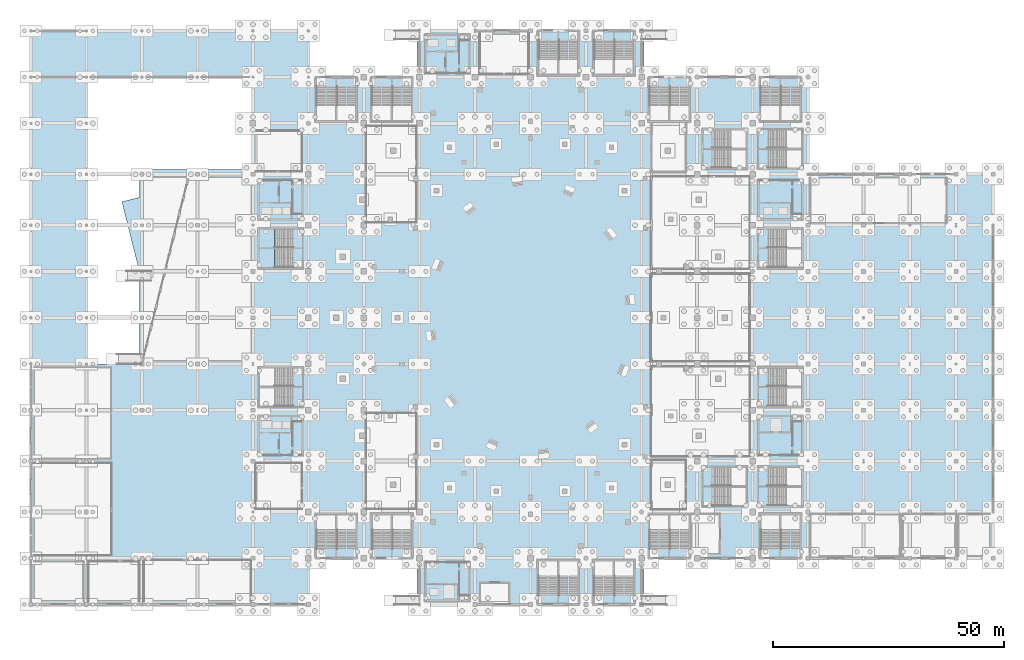
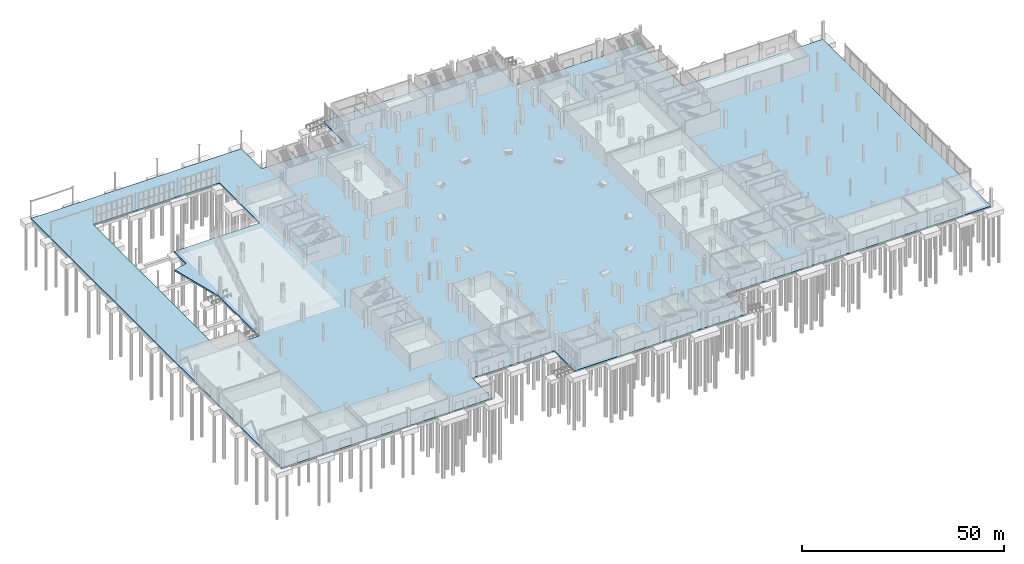
# One storey, part 41 of 70: 3 slabs, 2 elements without a shape of their own.
"""IFC4 building model written with IfcOpenShell, lengths in metres."""

from ifc_helpers import new_model, si_unit, direction, frame, origin, place, context, subcontext, project, spatial, polyline, outline, extrude, material, layer, layer_set, type_object, element, aggregate, save


model = new_model("IFC4")

# Units and contexts
model_context = context("Model", 3, precision=1e-05, world=origin(), true_north=direction((0.0, 1.0)))
body_context = subcontext(model_context, "Body", "Model", "MODEL_VIEW")
ifc_project = project(units=[si_unit("LENGTHUNIT", "METRE"), si_unit("AREAUNIT", "SQUARE_METRE"), si_unit("VOLUMEUNIT", "CUBIC_METRE"), si_unit("PLANEANGLEUNIT", "RADIAN"), si_unit("MASSUNIT", "GRAM", prefix="KILO")], contexts=[model_context])

# Site, building, storey
site_placement = place(None, origin())
site = spatial("IfcSite", under=ifc_project, at=site_placement, CompositionType="ELEMENT")
building_placement = place(site_placement, origin())
building = spatial("IfcBuilding", under=site, at=building_placement, Name="Brinegate Civic Arena", CompositionType="ELEMENT")
storey_placement = place(building_placement, origin())
storey = spatial("IfcBuildingStorey", under=building, at=storey_placement, Name="L00", CompositionType="ELEMENT", Elevation=0.0)

# Slab
ifc_material = material(Name="Concrete C40/50", Category="concrete")
ifc_layer_1 = layer(ifc_material, 0.5, Name="Concrete C40/50")
ifc_layer_set_1 = layer_set([ifc_layer_1], Name="Concrete C40/50")
slab_type_1 = type_object("IfcSlabType", Name="SLAB-BASE-500", PredefinedType="BASESLAB", material=ifc_layer_set_1)
slab_1_placement = place(storey_placement, frame((0.0, 0.0, -0.5)))
element("IfcSlab", 1, at=slab_1_placement, inside=storey, type_object=slab_type_1, Name="Ground Level Base Slab", PredefinedType="BASESLAB", context=body_context, shape_type="SweptSolid", body=[
    extrude(outline(polyline([(83.5, 114.0), (83.5, 124.0), (132.5, 124.0), (132.5, 114.0), (168.0, 114.0), (168.0, 93.0), (208.0, 93.0), (208.0, 10.0), (168.0, 10.0), (156.0, 10.0), (132.5, 10.0), (132.5, 0.0), (83.5, 0.0), (83.5, 10.0), (60.0, 10.0), (60.0, 0.0), (0.0, 0.0), (0.0, 52.0), (0.0, 124.0), (12.0, 124.0), (60.0, 124.0), (60.0, 114.0), (83.5, 114.0)]), holes=[polyline([(48.0, 114.0), (12.0, 114.0), (12.0, 52.0), (23.5, 52.0), (23.5, 71.7939453125), (19.696044921875, 87.051025390625), (23.5, 88.0), (23.5, 94.0), (47.56494140625, 94.0), (48.0, 94.10888671875), (48.0, 114.0)])]), origin(), (0.0, 0.0, 1.0), 0.5),
])

# Stair, slab
stair_type_1 = type_object("IfcStairType", Name="STAIR-EXIT-3850", PredefinedType="HALF_TURN_STAIR", material=ifc_material)
stair_1_placement = place(storey_placement, origin())
stair_1 = element("IfcStair", 2, at=stair_1_placement, inside=storey, type_object=stair_type_1, Name="Protected Exit Stair ST-07A (L00)", PredefinedType="HALF_TURN_STAIR")
ifc_layer_2 = layer(ifc_material, 0.179931640625, Name="Concrete C40/50")
ifc_layer_set_2 = layer_set([ifc_layer_2], Name="Concrete C40/50")
slab_type_2 = type_object("IfcSlabType", Name="SLAB-LANDING-180", PredefinedType="LANDING", material=ifc_layer_set_2)
slab_2_placement = place(storey_placement, frame((0.0, 0.0, 2.52001953125)))
slab_2 = element("IfcSlab", 3, at=slab_2_placement, type_object=slab_type_2, Name="ST-07A landing 1", PredefinedType="LANDING", context=body_context, shape_type="SweptSolid", body=[
    extrude(outline(polyline([(49.199951171875, 72.72509765625), (52.7099609375, 72.72509765625), (52.7099609375, 77.0048828125), (49.199951171875, 77.0048828125), (49.199951171875, 72.72509765625)])), origin(), (0.0, 0.0, 1.0), 0.179931640625),
])
aggregate(stair_1, [slab_2])

stair_type_2 = type_object("IfcStairType", Name="STAIR-EXIT-3700", PredefinedType="HALF_TURN_STAIR", material=ifc_material)
stair_2_placement = place(storey_placement, origin())
stair_2 = element("IfcStair", 4, at=stair_2_placement, inside=storey, type_object=stair_type_2, Name="Protected Exit Stair ST-07B (L00)", PredefinedType="HALF_TURN_STAIR")
slab_3_placement = place(storey_placement, frame((0.0, 0.0, 2.52001953125)))
slab_3 = element("IfcSlab", 5, at=slab_3_placement, type_object=slab_type_2, Name="ST-07B landing 1", PredefinedType="LANDING", context=body_context, shape_type="SweptSolid", body=[
    extrude(outline(polyline([(49.199951171875, 76.9951171875), (52.7099609375, 76.9951171875), (52.7099609375, 81.27490234375), (49.199951171875, 81.27490234375), (49.199951171875, 76.9951171875)])), origin(), (0.0, 0.0, 1.0), 0.179931640625),
])
aggregate(stair_2, [slab_3])

save(model, "model.ifc")
